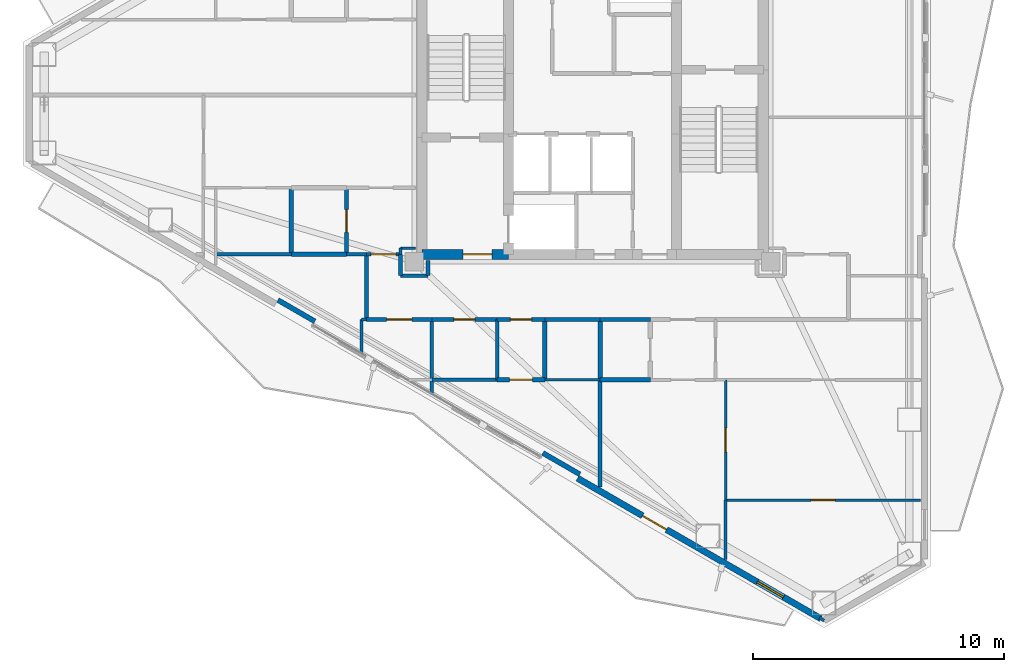
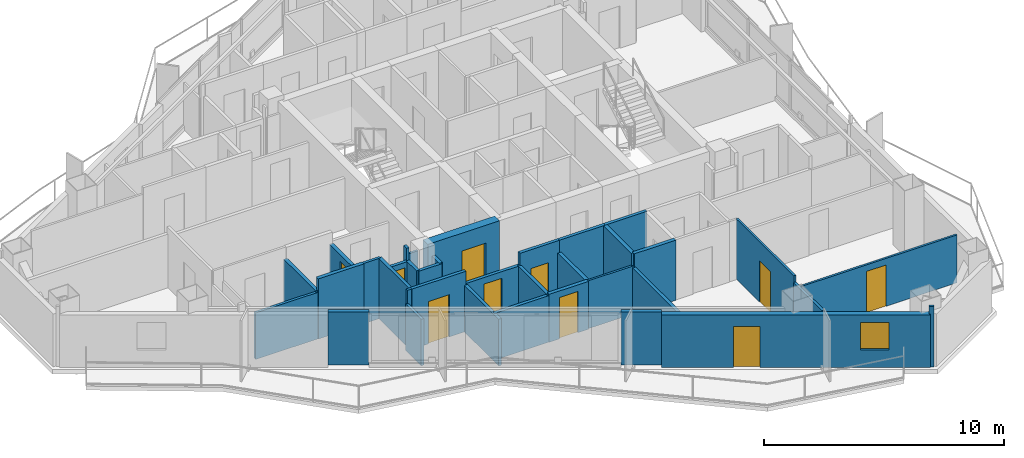
# One storey, part 12 of 19: 36 walls, 10 doors, 1 window, 11 openings.
"""IFC4 building model written with IfcOpenShell, lengths in metres."""

from ifc_helpers import new_model, si_unit, direction, frame, frame_2d, origin, place, context, subcontext, project, spatial, rectangle, extrude, material, layer, layer_set, type_object, element, fill, save


model = new_model("IFC4")

# Units and contexts
model_context = context("Model", 3, precision=1e-05, world=origin(), true_north=direction((0.0, 1.0)))
body_context = subcontext(model_context, "Body", "Model", "MODEL_VIEW")
ifc_project = project(units=[si_unit("LENGTHUNIT", "METRE"), si_unit("AREAUNIT", "SQUARE_METRE"), si_unit("VOLUMEUNIT", "CUBIC_METRE"), si_unit("PLANEANGLEUNIT", "RADIAN"), si_unit("MASSUNIT", "GRAM", prefix="KILO")], contexts=[model_context])

# Site, building, storey
site_placement = place(None, origin())
site = spatial("IfcSite", under=ifc_project, at=site_placement, CompositionType="ELEMENT")
building_placement = place(site_placement, origin())
building = spatial("IfcBuilding", under=site, at=building_placement, Name="Mersakhor Tower and Convention Hall", CompositionType="ELEMENT")
storey_placement = place(building_placement, frame((0.0, 0.0, 147.60009765625)))
storey = spatial("IfcBuildingStorey", under=building, at=storey_placement, Name="L41", CompositionType="ELEMENT", Elevation=147.60009765625)

# Wall, openings, door, window
ifc_material_1 = material(Name="Precast concrete C40/50", Category="concrete")
ifc_layer_1 = layer(ifc_material_1, 0.25)
ifc_layer_set_1 = layer_set([ifc_layer_1], Name="Precast concrete C40/50")
wall_type_1 = type_object("IfcWallType", Name="WL-EXT-250", PredefinedType="SOLIDWALL", material=ifc_layer_set_1)
wall_1_placement = place(storey_placement, frame((38.090576171875, 6.2373046875, 0.0), z_axis=(0.0, 0.0, 1.0), x_axis=(-0.86602239209, 0.500005216371, 0.0)))
wall_1 = element("IfcWall", 1, at=wall_1_placement, inside=storey, type_object=wall_type_1, Name="L41 Exterior Facade Wall F3-B1", PredefinedType="SOLIDWALL", context=body_context, shape_type="SweptSolid", body=[
    extrude(rectangle(XDim=11.18603515625, YDim=0.25, at=frame_2d((5.593017578125, 0.0))), origin(), (0.0, 0.0, 1.0), 2.679931640625),
])
opening_1_placement = place(wall_1_placement, frame((7.094970703125, 0.0, 0.0)))
opening_1 = element("IfcOpeningElement", 2, at=opening_1_placement, cuts=wall_1, Name="Opening BD-02", PredefinedType="OPENING", context=body_context, shape_type="SweptSolid", body=[
    extrude(rectangle(XDim=1.10009765625, YDim=2.10009765625, at=frame_2d((0.550048828125, 1.050048828125))), frame((0.0, 0.135009765625, 0.0), z_axis=(0.0, -1.0, 0.0), x_axis=(1.0, 0.0, 0.0)), (0.0, 0.0, 1.0), 0.27001953125),
])
opening_2_placement = place(wall_1_placement, frame((1.718017578125, 0.0, 0.89990234375)))
opening_2 = element("IfcOpeningElement", 3, at=opening_2_placement, cuts=wall_1, Name="Opening W-01", PredefinedType="OPENING", context=body_context, shape_type="SweptSolid", body=[
    extrude(rectangle(XDim=1.199951171875, YDim=1.39990234375, at=frame_2d((0.60009765625, 0.699951171875))), frame((0.0, 0.135009765625, 0.0), z_axis=(0.0, -1.0, 0.0), x_axis=(1.0, 0.0, 0.0)), (0.0, 0.0, 1.0), 0.27001953125),
])
ifc_material_2 = material(Name="Thermally broken dark aluminium and safety glass", Category="aluminium")
door_type_1 = type_object("IfcDoorType", Name="DR-BAL-110x210", OperationType="NOTDEFINED", PredefinedType="DOOR", material=ifc_material_2)
door_1_placement = place(opening_1_placement, origin())
door_1 = element("IfcDoor", 4, at=door_1_placement, inside=storey, type_object=door_type_1, Name="L41 Balcony Terrace Door F3-B1", OperationType="SINGLE_SWING_RIGHT", OverallHeight=2.10009765625, OverallWidth=1.10009765625, PredefinedType="DOOR", context=body_context, shape_type="SweptSolid", body=[
    extrude(rectangle(XDim=1.10009765625, YDim=2.10009765625, at=frame_2d((0.550048828125, 1.050048828125))), frame((0.0, 0.02490234375, 0.0), z_axis=(0.0, -1.0, 0.0), x_axis=(1.0, 0.0, 0.0)), (0.0, 0.0, 1.0), 0.050048828125),
])
fill(opening_1, door_1)
ifc_material_3 = material(Name="Dark solar low-E glazed aluminium window", Category="aluminium")
window_type = type_object("IfcWindowType", Name="WN-RES-120x150", PartitioningType="SINGLE_PANEL", PredefinedType="WINDOW", material=ifc_material_3)
window_placement = place(opening_2_placement, origin())
window = element("IfcWindow", 5, at=window_placement, inside=storey, type_object=window_type, Name="L41 Bedroom Facade Window F3-B1-1", OverallHeight=1.39990234375, OverallWidth=1.199951171875, PartitioningType="SINGLE_PANEL", PredefinedType="WINDOW", context=body_context, shape_type="SweptSolid", body=[
    extrude(rectangle(XDim=1.199951171875, YDim=1.39990234375, at=frame_2d((0.60009765625, 0.699951171875))), frame((0.0, 0.030029296875, 0.0), z_axis=(0.0, -1.0, 0.0), x_axis=(1.0, 0.0, 0.0)), (0.0, 0.0, 1.0), 0.06005859375),
])
fill(opening_2, window)

# Walls
ifc_material_4 = material(Name="Precast concrete C40/50", Category="concrete")
ifc_layer_2 = layer(ifc_material_4, 0.199951171875)
ifc_layer_set_2 = layer_set([ifc_layer_2], Name="Precast concrete C40/50")
wall_type_2 = type_object("IfcWallType", Name="WL-PAR-200", PredefinedType="PARAPET", material=ifc_layer_set_2)
for number, where, z_axis, x_axis, name in (
    (6, (28.4931640625, 11.986328125, 0.0), (0.0, 0.0, 1.0), (-0.86605165483, 0.499954529098, 0.0), "L41 Column Pier Cladding Wall F3-C1"),
    (7, (17.939697265625, 18.0791015625, 0.0), (0.0, 0.0, 1.0), (-0.865989465428, 0.500062241894, 0.0), "L41 Column Pier Cladding Wall F3-C2"),
):
    element("IfcWall", number, at=place(storey_placement, frame(where, z_axis=z_axis, x_axis=x_axis)), inside=storey, type_object=wall_type_2, Name=name, PredefinedType="PARAPET", context=body_context, shape_type="SweptSolid", body=[
        extrude(rectangle(XDim=1.699951171875, YDim=0.199951171875, at=frame_2d((0.85009765625, 0.0))), origin(), (0.0, 0.0, 1.0), 2.679931640625),
    ])

# Wall, opening, door
ifc_material_5 = material(Name="Moisture-resistant acoustic drywall studwork", Category="other")
ifc_layer_3 = layer(ifc_material_5, 0.175048828125)
ifc_layer_set_3 = layer_set([ifc_layer_3], Name="Moisture-resistant acoustic drywall studwork")
wall_type_3 = type_object("IfcWallType", Name="WL-PLM-175", PredefinedType="PLUMBINGWALL", material=ifc_layer_set_3)
wall_2_placement = place(storey_placement, frame((19.199951171875, 20.75, 0.0), z_axis=(0.0, 0.0, 1.0), x_axis=(0.0, 1.0, 0.0)))
wall_2 = element("IfcWall", 8, at=wall_2_placement, inside=storey, type_object=wall_type_3, Name="L41 Interior Partition Wall P-064", PredefinedType="PLUMBINGWALL", context=body_context, shape_type="SweptSolid", body=[
    extrude(rectangle(XDim=2.64990234375, YDim=0.175048828125, at=frame_2d((1.324951171875, 0.0))), origin(), (0.0, 0.0, 1.0), 2.4326171875),
])
opening_3_placement = place(wall_2_placement, frame((0.875, 0.0, 0.0)))
opening_3 = element("IfcOpeningElement", 9, at=opening_3_placement, cuts=wall_2, Name="Opening WD-01", PredefinedType="OPENING", context=body_context, shape_type="SweptSolid", body=[
    extrude(rectangle(XDim=0.89990234375, YDim=2.10009765625, at=frame_2d((0.449951171875, 1.050048828125))), frame((0.0, 0.097412109375, 0.0), z_axis=(0.0, -1.0, 0.0), x_axis=(1.0, 0.0, 0.0)), (0.0, 0.0, 1.0), 0.195068359375),
])
ifc_material_6 = material(Name="Solid-core hardwood leaf in painted steel frame", Category="steel")
door_type_2 = type_object("IfcDoorType", Name="DR-INT-WET-090x210", OperationType="NOTDEFINED", PredefinedType="DOOR", material=ifc_material_6)
door_2_placement = place(opening_3_placement, origin())
door_2 = element("IfcDoor", 10, at=door_2_placement, inside=storey, type_object=door_type_2, Name="L41 L41 Flat W6 Apartment Hall to L41 Flat W6 Bathroom Door", OperationType="SINGLE_SWING_LEFT", OverallHeight=2.10009765625, OverallWidth=0.89990234375, PredefinedType="DOOR", context=body_context, shape_type="SweptSolid", body=[
    extrude(rectangle(XDim=0.89990234375, YDim=2.10009765625, at=frame_2d((0.449951171875, 1.050048828125))), frame((0.0, 0.02490234375, 0.0), z_axis=(0.0, -1.0, 0.0), x_axis=(1.0, 0.0, 0.0)), (0.0, 0.0, 1.0), 0.050048828125),
])
fill(opening_3, door_2)

wall_3_placement = place(storey_placement, frame((27.10009765625, 15.75, 0.0), z_axis=(0.0, 0.0, 1.0), x_axis=(-1.0, 0.0, 0.0)))
wall_3 = element("IfcWall", 11, at=wall_3_placement, inside=storey, type_object=wall_type_3, Name="L41 Interior Partition Wall P-077", PredefinedType="PLUMBINGWALL", context=body_context, shape_type="SweptSolid", body=[
    extrude(rectangle(XDim=1.900146484375, YDim=0.175048828125, at=frame_2d((0.9501953125, 0.0))), origin(), (0.0, 0.0, 1.0), 2.4326171875),
])
opening_4_placement = place(wall_3_placement, frame((0.5, 0.0, 0.0)))
opening_4 = element("IfcOpeningElement", 12, at=opening_4_placement, cuts=wall_3, Name="Opening WD-01", PredefinedType="OPENING", context=body_context, shape_type="SweptSolid", body=[
    extrude(rectangle(XDim=0.89990234375, YDim=2.10009765625, at=frame_2d((0.449951171875, 1.050048828125))), frame((0.0, 0.097412109375, 0.0), z_axis=(0.0, -1.0, 0.0), x_axis=(1.0, 0.0, 0.0)), (0.0, 0.0, 1.0), 0.195068359375),
])
door_3_placement = place(opening_4_placement, origin())
door_3 = element("IfcDoor", 13, at=door_3_placement, inside=storey, type_object=door_type_2, Name="L41 L41 Floor Shared Restroom WC 3-2 to L41 Floor Residents Study Room 3-4 Door", OperationType="SINGLE_SWING_RIGHT", OverallHeight=2.10009765625, OverallWidth=0.89990234375, PredefinedType="DOOR", context=body_context, shape_type="SweptSolid", body=[
    extrude(rectangle(XDim=0.89990234375, YDim=2.10009765625, at=frame_2d((0.449951171875, 1.050048828125))), frame((0.0, 0.02490234375, 0.0), z_axis=(0.0, -1.0, 0.0), x_axis=(1.0, 0.0, 0.0)), (0.0, 0.0, 1.0), 0.050048828125),
])
fill(opening_4, door_3)

# Walls
wall_4_placement = place(storey_placement, frame((27.10009765625, 18.14990234375, 0.0), z_axis=(0.0, 0.0, 1.0), x_axis=(0.0, -1.0, 0.0)))
element("IfcWall", 14, at=wall_4_placement, inside=storey, type_object=wall_type_3, Name="L41 Interior Partition Wall P-079", PredefinedType="PLUMBINGWALL", context=body_context, shape_type="SweptSolid", body=[
    extrude(rectangle(XDim=2.39990234375, YDim=0.175048828125, at=frame_2d((1.199951171875, 0.0))), origin(), (0.0, 0.0, 1.0), 2.4326171875),
])
wall_5_placement = place(storey_placement, frame((31.300048828125, 15.75, 0.0), z_axis=(0.0, 0.0, 1.0), x_axis=(-1.0, 0.0, 0.0)))
element("IfcWall", 15, at=wall_5_placement, inside=storey, type_object=wall_type_3, Name="L41 Interior Partition Wall P-080", PredefinedType="PLUMBINGWALL", context=body_context, shape_type="SweptSolid", body=[
    extrude(rectangle(XDim=2.0, YDim=0.175048828125, at=frame_2d((1.0, 0.0))), origin(), (0.0, 0.0, 1.0), 3.059814453125),
])
wall_6_placement = place(storey_placement, frame((29.300048828125, 15.75, 0.0), z_axis=(0.0, 0.0, 1.0), x_axis=(0.0, 1.0, 0.0)))
element("IfcWall", 16, at=wall_6_placement, inside=storey, type_object=wall_type_3, Name="L41 Interior Partition Wall P-081", PredefinedType="PLUMBINGWALL", context=body_context, shape_type="SweptSolid", body=[
    extrude(rectangle(XDim=2.39990234375, YDim=0.175048828125, at=frame_2d((1.199951171875, 0.0))), origin(), (0.0, 0.0, 1.0), 3.059814453125),
])
wall_7_placement = place(storey_placement, frame((19.199951171875, 20.75, 0.0), z_axis=(0.0, 0.0, 1.0), x_axis=(-1.0, 0.0, 0.0)))
element("IfcWall", 17, at=wall_7_placement, inside=storey, type_object=wall_type_3, Name="L41 Interior Partition Wall P-092", PredefinedType="PLUMBINGWALL", context=body_context, shape_type="SweptSolid", body=[
    extrude(rectangle(XDim=2.199951171875, YDim=0.175048828125, at=frame_2d((1.10009765625, 0.0))), origin(), (0.0, 0.0, 1.0), 3.059814453125),
])
wall_8_placement = place(storey_placement, frame((17.0, 20.75, 0.0), z_axis=(0.0, 0.0, 1.0), x_axis=(0.0, 1.0, 0.0)))
element("IfcWall", 18, at=wall_8_placement, inside=storey, type_object=wall_type_3, Name="L41 Interior Partition Wall P-093", PredefinedType="PLUMBINGWALL", context=body_context, shape_type="SweptSolid", body=[
    extrude(rectangle(XDim=2.64990234375, YDim=0.175048828125, at=frame_2d((1.324951171875, 0.0))), origin(), (0.0, 0.0, 1.0), 2.4326171875),
])
ifc_material_7 = material(Name="Lightweight gypsum partition", Category="other")
ifc_layer_4 = layer(ifc_material_7, 0.10009765625)
ifc_layer_set_4 = layer_set([ifc_layer_4], Name="Lightweight gypsum partition")
wall_type_4 = type_object("IfcWallType", Name="WL-PRT-100", PredefinedType="PARTITIONING", material=ifc_layer_set_4)
wall_9_placement = place(storey_placement, frame((21.949951171875, 21.0, 0.0), z_axis=(0.0, 0.0, 1.0), x_axis=(-1.0, 0.0, 0.0)))
element("IfcWall", 19, at=wall_9_placement, inside=storey, type_object=wall_type_4, Name="L41 Interior Partition Wall P-066", PredefinedType="PARTITIONING", context=body_context, shape_type="SweptSolid", body=[
    extrude(rectangle(XDim=0.599853515625, YDim=0.10009765625, at=frame_2d((0.2998046875, 0.0))), origin(), (0.0, 0.0, 1.0), 2.5849609375),
])
wall_10_placement = place(storey_placement, frame((27.10009765625, 15.75, 0.0), z_axis=(0.0, 0.0, 1.0), x_axis=(1.0, 0.0, 0.0)))
element("IfcWall", 20, at=wall_10_placement, inside=storey, type_object=wall_type_4, Name="L41 Interior Partition Wall P-124", PredefinedType="PARTITIONING", context=body_context, shape_type="SweptSolid", body=[
    extrude(rectangle(XDim=2.199951171875, YDim=0.10009765625, at=frame_2d((1.10009765625, 0.0))), origin(), (0.0, 0.0, 1.0), 2.4326171875),
])

# Wall, opening, door
wall_11_placement = place(storey_placement, frame((34.300048828125, 15.75, 0.0), z_axis=(0.0, 0.0, 1.0), x_axis=(0.0, -1.0, 0.0)))
wall_11 = element("IfcWall", 21, at=wall_11_placement, inside=storey, type_object=wall_type_4, Name="L41 Interior Partition Wall P-126", PredefinedType="PARTITIONING", context=body_context, shape_type="SweptSolid", body=[
    extrude(rectangle(XDim=4.7900390625, YDim=0.10009765625, at=frame_2d((2.39501953125, 0.0))), origin(), (0.0, 0.0, 1.0), 3.059814453125),
])
opening_5_placement = place(wall_11_placement, frame((1.919921875, 0.0, 0.0)))
opening_5 = element("IfcOpeningElement", 22, at=opening_5_placement, cuts=wall_11, Name="Opening RD-01", PredefinedType="OPENING", context=body_context, shape_type="SweptSolid", body=[
    extrude(rectangle(XDim=0.949951171875, YDim=2.10009765625, at=frame_2d((0.47509765625, 1.050048828125))), frame((0.0, 0.06005859375, 0.0), z_axis=(0.0, -1.0, 0.0), x_axis=(1.0, 0.0, 0.0)), (0.0, 0.0, 1.0), 0.1201171875),
])
ifc_material_8 = material(Name="Solid-core hardwood leaf in painted steel frame", Category="steel")
door_type_3 = type_object("IfcDoorType", Name="DR-INT-RM-095x210", OperationType="NOTDEFINED", PredefinedType="DOOR", material=ifc_material_8)
door_4_placement = place(opening_5_placement, origin())
door_4 = element("IfcDoor", 23, at=door_4_placement, inside=storey, type_object=door_type_3, Name="L41 L41 Flat S4 Living and Dining Room to L41 Flat S4 Dining Room Door", OperationType="SINGLE_SWING_LEFT", OverallHeight=2.10009765625, OverallWidth=0.949951171875, PredefinedType="DOOR", context=body_context, shape_type="SweptSolid", body=[
    extrude(rectangle(XDim=0.949951171875, YDim=2.10009765625, at=frame_2d((0.47509765625, 1.050048828125))), frame((0.0, 0.02490234375, 0.0), z_axis=(0.0, -1.0, 0.0), x_axis=(1.0, 0.0, 0.0)), (0.0, 0.0, 1.0), 0.050048828125),
])
fill(opening_5, door_4)

wall_12_placement = place(storey_placement, frame((34.300048828125, 10.9599609375, 0.0), z_axis=(0.0, 0.0, 1.0), x_axis=(1.0, 0.0, 0.0)))
wall_12 = element("IfcWall", 24, at=wall_12_placement, inside=storey, type_object=wall_type_4, Name="L41 Interior Partition Wall P-128", PredefinedType="PARTITIONING", context=body_context, shape_type="SweptSolid", body=[
    extrude(rectangle(XDim=7.770263671875, YDim=0.10009765625, at=frame_2d((3.88525390625, 0.0))), origin(), (0.0, 0.0, 1.0), 2.4326171875),
])
opening_6_placement = place(wall_12_placement, frame((3.41015625, 0.0, 0.0)))
opening_6 = element("IfcOpeningElement", 25, at=opening_6_placement, cuts=wall_12, Name="Opening RD-01", PredefinedType="OPENING", context=body_context, shape_type="SweptSolid", body=[
    extrude(rectangle(XDim=0.949951171875, YDim=2.10009765625, at=frame_2d((0.47509765625, 1.050048828125))), frame((0.0, 0.06005859375, 0.0), z_axis=(0.0, -1.0, 0.0), x_axis=(1.0, 0.0, 0.0)), (0.0, 0.0, 1.0), 0.1201171875),
])
door_5_placement = place(opening_6_placement, origin())
door_5 = element("IfcDoor", 26, at=door_5_placement, inside=storey, type_object=door_type_3, Name="L41 L41 Flat S4 Bedroom 1 to L41 Flat S4 Dining Room Door", OperationType="SINGLE_SWING_RIGHT", OverallHeight=2.10009765625, OverallWidth=0.949951171875, PredefinedType="DOOR", context=body_context, shape_type="SweptSolid", body=[
    extrude(rectangle(XDim=0.949951171875, YDim=2.10009765625, at=frame_2d((0.47509765625, 1.050048828125))), frame((0.0, 0.02490234375, 0.0), z_axis=(0.0, -1.0, 0.0), x_axis=(1.0, 0.0, 0.0)), (0.0, 0.0, 1.0), 0.050048828125),
])
fill(opening_6, door_5)

# Walls
ifc_material_9 = material(Name="Gypsum board acoustic partition", Category="other")
ifc_layer_5 = layer(ifc_material_9, 0.125)
ifc_layer_set_5 = layer_set([ifc_layer_5], Name="Gypsum board acoustic partition")
wall_type_5 = type_object("IfcWallType", Name="WL-PRT-125", PredefinedType="PARTITIONING", material=ifc_layer_set_5)
wall_13_placement = place(storey_placement, frame((20.0, 20.75, 0.0), z_axis=(0.0, 0.0, 1.0), x_axis=(-1.0, 0.0, 0.0)))
element("IfcWall", 27, at=wall_13_placement, inside=storey, type_object=wall_type_5, Name="L41 Interior Partition Wall P-063", PredefinedType="PARTITIONING", context=body_context, shape_type="SweptSolid", body=[
    extrude(rectangle(XDim=0.800048828125, YDim=0.125, at=frame_2d((0.39990234375, 0.0))), origin(), (0.0, 0.0, 1.0), 3.059814453125),
])
wall_14_placement = place(storey_placement, frame((21.35009765625, 21.0, 0.0), z_axis=(0.0, 0.0, 1.0), x_axis=(0.0, -1.0, 0.0)))
element("IfcWall", 28, at=wall_14_placement, inside=storey, type_object=wall_type_5, Name="L41 Interior Partition Wall P-067", PredefinedType="PARTITIONING", context=body_context, shape_type="SweptSolid", body=[
    extrude(rectangle(XDim=0.25, YDim=0.125, at=frame_2d((0.125, 0.0))), origin(), (0.0, 0.0, 1.0), 3.059814453125),
])
wall_15_placement = place(storey_placement, frame((17.0, 20.75, 0.0), z_axis=(0.0, 0.0, 1.0), x_axis=(-1.0, 0.0, 0.0)))
element("IfcWall", 29, at=wall_15_placement, inside=storey, type_object=wall_type_5, Name="L41 Interior Partition Wall P-095", PredefinedType="PARTITIONING", context=body_context, shape_type="SweptSolid", body=[
    extrude(rectangle(XDim=3.0, YDim=0.125, at=frame_2d((1.5, 0.0))), origin(), (0.0, 0.0, 1.0), 2.364990234375),
])
wall_16_placement = place(storey_placement, frame((19.800048828125, 18.14990234375, 0.0), z_axis=(0.0, 0.0, 1.0), x_axis=(1.0, 0.0, 0.0)))
element("IfcWall", 30, at=wall_16_placement, inside=storey, type_object=wall_type_5, Name="L41 Interior Partition Wall P-121", PredefinedType="PARTITIONING", context=body_context, shape_type="SweptSolid", body=[
    extrude(rectangle(XDim=0.199951171875, YDim=0.125, at=frame_2d((0.10009765625, 0.0))), origin(), (0.0, 0.0, 1.0), 3.059814453125),
])
wall_17_placement = place(storey_placement, frame((19.800048828125, 16.84130859375, 0.0), z_axis=(0.0, 0.0, 1.0), x_axis=(0.0, 1.0, 0.0)))
element("IfcWall", 31, at=wall_17_placement, inside=storey, type_object=wall_type_5, Name="L41 Interior Partition Wall P-123", PredefinedType="PARTITIONING", context=body_context, shape_type="SweptSolid", body=[
    extrude(rectangle(XDim=1.30859375, YDim=0.125, at=frame_2d((0.654296875, 0.0))), origin(), (0.0, 0.0, 1.0), 2.364990234375),
])
wall_18_placement = place(storey_placement, frame((34.300048828125, 10.9599609375, 0.0), z_axis=(0.0, 0.0, 1.0), x_axis=(0.0, -1.0, 0.0)))
element("IfcWall", 32, at=wall_18_placement, inside=storey, type_object=wall_type_5, Name="L41 Interior Partition Wall P-127", PredefinedType="PARTITIONING", context=body_context, shape_type="SweptSolid", body=[
    extrude(rectangle(XDim=2.362060546875, YDim=0.125, at=frame_2d((1.18115234375, 0.0))), origin(), (0.0, 0.0, 1.0), 2.724365234375),
])
wall_19_placement = place(storey_placement, frame((38.220703125, 6.162109375, 0.0), z_axis=(0.0, 0.0, 1.0), x_axis=(-0.865581379588, 0.500768285049, 0.0)))
element("IfcWall", 33, at=wall_19_placement, inside=storey, type_object=wall_type_5, Name="L41 Interior Partition Wall P-129", PredefinedType="PARTITIONING", context=body_context, shape_type="SweptSolid", body=[
    extrude(rectangle(XDim=0.215576171875, YDim=0.125, at=frame_2d((0.10791015625, 0.0))), origin(), (0.0, 0.0, 1.0), 3.059814453125),
])
ifc_material_10 = material(Name="Fire-rated gypsum board stud partition", Category="other")
ifc_layer_6 = layer(ifc_material_10, 0.14990234375)
ifc_layer_set_6 = layer_set([ifc_layer_6], Name="Fire-rated gypsum board stud partition")
wall_type_6 = type_object("IfcWallType", Name="WL-PRT-150", PredefinedType="PARTITIONING", material=ifc_layer_set_6)
wall_20_placement = place(storey_placement, frame((22.449951171875, 19.89990234375, 0.0), z_axis=(0.0, 0.0, 1.0), x_axis=(0.0, 1.0, 0.0)))
element("IfcWall", 34, at=wall_20_placement, inside=storey, type_object=wall_type_6, Name="L41 Interior Partition Wall P-034", PredefinedType="PARTITIONING", context=body_context, shape_type="SweptSolid", body=[
    extrude(rectangle(XDim=0.60009765625, YDim=0.14990234375, at=frame_2d((0.300048828125, 0.0))), origin(), (0.0, 0.0, 1.0), 2.4326171875),
])
wall_21_placement = place(storey_placement, frame((31.300048828125, 18.14990234375, 0.0), z_axis=(0.0, 0.0, 1.0), x_axis=(-1.0, 0.0, 0.0)))
element("IfcWall", 35, at=wall_21_placement, inside=storey, type_object=wall_type_6, Name="L41 Interior Partition Wall P-043", PredefinedType="PARTITIONING", context=body_context, shape_type="SweptSolid", body=[
    extrude(rectangle(XDim=2.0, YDim=0.14990234375, at=frame_2d((1.0, 0.0))), origin(), (0.0, 0.0, 1.0), 3.059814453125),
])
wall_22_placement = place(storey_placement, frame((29.300048828125, 18.14990234375, 0.0), z_axis=(0.0, 0.0, 1.0), x_axis=(-1.0, 0.0, 0.0)))
element("IfcWall", 36, at=wall_22_placement, inside=storey, type_object=wall_type_6, Name="L41 Interior Partition Wall P-044", PredefinedType="PARTITIONING", context=body_context, shape_type="SweptSolid", body=[
    extrude(rectangle(XDim=2.199951171875, YDim=0.14990234375, at=frame_2d((1.10009765625, 0.0))), origin(), (0.0, 0.0, 1.0), 3.059814453125),
])

# Wall, opening, door
wall_23_placement = place(storey_placement, frame((27.10009765625, 18.14990234375, 0.0), z_axis=(0.0, 0.0, 1.0), x_axis=(-1.0, 0.0, 0.0)))
wall_23 = element("IfcWall", 37, at=wall_23_placement, inside=storey, type_object=wall_type_6, Name="L41 Interior Partition Wall P-045", PredefinedType="PARTITIONING", context=body_context, shape_type="SweptSolid", body=[
    extrude(rectangle(XDim=1.900146484375, YDim=0.14990234375, at=frame_2d((0.9501953125, 0.0))), origin(), (0.0, 0.0, 1.0), 3.059814453125),
])
opening_7_placement = place(wall_23_placement, frame((0.52490234375, 0.0, 0.0)))
opening_7 = element("IfcOpeningElement", 38, at=opening_7_placement, cuts=wall_23, Name="Opening SVD-01", PredefinedType="OPENING", context=body_context, shape_type="SweptSolid", body=[
    extrude(rectangle(XDim=0.85009765625, YDim=2.10009765625, at=frame_2d((0.425048828125, 1.050048828125))), frame((0.0, 0.0849609375, 0.0), z_axis=(0.0, -1.0, 0.0), x_axis=(1.0, 0.0, 0.0)), (0.0, 0.0, 1.0), 0.169921875),
])
ifc_material_11 = material(Name="Fire-rated hardwood leaf and painted steel frame", Category="steel")
door_type_4 = type_object("IfcDoorType", Name="DR-INT-SVC-085x210", OperationType="NOTDEFINED", PredefinedType="DOOR", material=ifc_material_11)
door_6_placement = place(opening_7_placement, origin())
door_6 = element("IfcDoor", 39, at=door_6_placement, inside=storey, type_object=door_type_4, Name="L41 Residential South Gallery Corridor to L41 Floor Shared Restroom WC 3-2 Door", OperationType="SINGLE_SWING_RIGHT", OverallHeight=2.10009765625, OverallWidth=0.85009765625, PredefinedType="DOOR", context=body_context, shape_type="SweptSolid", body=[
    extrude(rectangle(XDim=0.85009765625, YDim=2.10009765625, at=frame_2d((0.425048828125, 1.050048828125))), frame((0.0, 0.02490234375, 0.0), z_axis=(0.0, -1.0, 0.0), x_axis=(1.0, 0.0, 0.0)), (0.0, 0.0, 1.0), 0.050048828125),
])
fill(opening_7, door_6)

wall_24_placement = place(storey_placement, frame((25.199951171875, 18.14990234375, 0.0), z_axis=(0.0, 0.0, 1.0), x_axis=(-1.0, 0.0, 0.0)))
wall_24 = element("IfcWall", 40, at=wall_24_placement, inside=storey, type_object=wall_type_6, Name="L41 Interior Partition Wall P-046", PredefinedType="PARTITIONING", context=body_context, shape_type="SweptSolid", body=[
    extrude(rectangle(XDim=2.599853515625, YDim=0.14990234375, at=frame_2d((1.2998046875, 0.0))), origin(), (0.0, 0.0, 1.0), 2.4326171875),
])
opening_8_placement = place(wall_24_placement, frame((0.875, 0.0, 0.0)))
opening_8 = element("IfcOpeningElement", 41, at=opening_8_placement, cuts=wall_24, Name="Opening SVD-01", PredefinedType="OPENING", context=body_context, shape_type="SweptSolid", body=[
    extrude(rectangle(XDim=0.85009765625, YDim=2.10009765625, at=frame_2d((0.425048828125, 1.050048828125))), frame((0.0, 0.0849609375, 0.0), z_axis=(0.0, -1.0, 0.0), x_axis=(1.0, 0.0, 0.0)), (0.0, 0.0, 1.0), 0.169921875),
])
door_7_placement = place(opening_8_placement, origin())
door_7 = element("IfcDoor", 42, at=door_7_placement, inside=storey, type_object=door_type_4, Name="L41 Residential South Gallery Corridor to L41 Floor Household Store Room 3-1 Door", OperationType="SINGLE_SWING_LEFT", OverallHeight=2.10009765625, OverallWidth=0.85009765625, PredefinedType="DOOR", context=body_context, shape_type="SweptSolid", body=[
    extrude(rectangle(XDim=0.85009765625, YDim=2.10009765625, at=frame_2d((0.425048828125, 1.050048828125))), frame((0.0, 0.02490234375, 0.0), z_axis=(0.0, -1.0, 0.0), x_axis=(1.0, 0.0, 0.0)), (0.0, 0.0, 1.0), 0.050048828125),
])
fill(opening_8, door_7)

wall_25_placement = place(storey_placement, frame((22.60009765625, 18.14990234375, 0.0), z_axis=(0.0, 0.0, 1.0), x_axis=(-1.0, 0.0, 0.0)))
wall_25 = element("IfcWall", 43, at=wall_25_placement, inside=storey, type_object=wall_type_6, Name="L41 Interior Partition Wall P-047", PredefinedType="PARTITIONING", context=body_context, shape_type="SweptSolid", body=[
    extrude(rectangle(XDim=2.60009765625, YDim=0.14990234375, at=frame_2d((1.300048828125, 0.0))), origin(), (0.0, 0.0, 1.0), 3.059814453125),
])
opening_9_placement = place(wall_25_placement, frame((0.800048828125, 0.0, 0.0)))
opening_9 = element("IfcOpeningElement", 44, at=opening_9_placement, cuts=wall_25, Name="Opening FD-01", PredefinedType="OPENING", context=body_context, shape_type="SweptSolid", body=[
    extrude(rectangle(XDim=1.0, YDim=2.14990234375, at=frame_2d((0.5, 1.074951171875))), frame((0.0, 0.0849609375, 0.0), z_axis=(0.0, -1.0, 0.0), x_axis=(1.0, 0.0, 0.0)), (0.0, 0.0, 1.0), 0.169921875),
])
ifc_material_12 = material(Name="Fire-rated hardwood leaf and painted steel frame", Category="steel")
door_type_5 = type_object("IfcDoorType", Name="DR-INT-FLT-100x215", OperationType="NOTDEFINED", PredefinedType="DOOR", material=ifc_material_12)
door_8_placement = place(opening_9_placement, origin())
door_8 = element("IfcDoor", 45, at=door_8_placement, inside=storey, type_object=door_type_5, Name="L41 Residential South Gallery Corridor to L41 Floor Shared Tea Pantry 3-3 Door", OperationType="SINGLE_SWING_RIGHT", OverallHeight=2.14990234375, OverallWidth=1.0, PredefinedType="DOOR", context=body_context, shape_type="SweptSolid", body=[
    extrude(rectangle(XDim=1.0, YDim=2.14990234375, at=frame_2d((0.5, 1.074951171875))), frame((0.0, 0.02490234375, 0.0), z_axis=(0.0, -1.0, 0.0), x_axis=(1.0, 0.0, 0.0)), (0.0, 0.0, 1.0), 0.050048828125),
])
fill(opening_9, door_8)

# Wall
wall_26_placement = place(storey_placement, frame((20.0, 18.14990234375, 0.0), z_axis=(0.0, 0.0, 1.0), x_axis=(0.0, 1.0, 0.0)))
element("IfcWall", 46, at=wall_26_placement, inside=storey, type_object=wall_type_6, Name="L41 Interior Partition Wall P-048", PredefinedType="PARTITIONING", context=body_context, shape_type="SweptSolid", body=[
    extrude(rectangle(XDim=2.60009765625, YDim=0.14990234375, at=frame_2d((1.300048828125, 0.0))), origin(), (0.0, 0.0, 1.0), 3.059814453125),
])

# Wall, opening, door
wall_27_placement = place(storey_placement, frame((20.0, 20.75, 0.0), z_axis=(0.0, 0.0, 1.0), x_axis=(1.0, 0.0, 0.0)))
wall_27 = element("IfcWall", 47, at=wall_27_placement, inside=storey, type_object=wall_type_6, Name="L41 Interior Partition Wall P-049", PredefinedType="PARTITIONING", context=body_context, shape_type="SweptSolid", body=[
    extrude(rectangle(XDim=1.35009765625, YDim=0.14990234375, at=frame_2d((0.675048828125, 0.0))), origin(), (0.0, 0.0, 1.0), 2.4326171875),
])
opening_10_placement = place(wall_27_placement, frame((0.175048828125, 0.0, 0.0)))
opening_10 = element("IfcOpeningElement", 48, at=opening_10_placement, cuts=wall_27, Name="Opening FD-01", PredefinedType="OPENING", context=body_context, shape_type="SweptSolid", body=[
    extrude(rectangle(XDim=1.0, YDim=2.14990234375, at=frame_2d((0.5, 1.074951171875))), frame((0.0, 0.0849609375, 0.0), z_axis=(0.0, -1.0, 0.0), x_axis=(1.0, 0.0, 0.0)), (0.0, 0.0, 1.0), 0.169921875),
])
door_9_placement = place(opening_10_placement, origin())
door_9 = element("IfcDoor", 49, at=door_9_placement, inside=storey, type_object=door_type_5, Name="L41 Apartment Entrance Door (Residential South Gallery Corridor to L41 Flat W6 Apartment Hall)", OperationType="SINGLE_SWING_LEFT", OverallHeight=2.14990234375, OverallWidth=1.0, PredefinedType="DOOR", context=body_context, shape_type="SweptSolid", body=[
    extrude(rectangle(XDim=1.0, YDim=2.14990234375, at=frame_2d((0.5, 1.074951171875))), frame((0.0, 0.02490234375, 0.0), z_axis=(0.0, -1.0, 0.0), x_axis=(1.0, 0.0, 0.0)), (0.0, 0.0, 1.0), 0.050048828125),
])
fill(opening_10, door_9)

# Walls
wall_28_placement = place(storey_placement, frame((21.35009765625, 20.75, 0.0), z_axis=(0.0, 0.0, 1.0), x_axis=(0.0, -1.0, 0.0)))
element("IfcWall", 50, at=wall_28_placement, inside=storey, type_object=wall_type_6, Name="L41 Interior Partition Wall P-050", PredefinedType="PARTITIONING", context=body_context, shape_type="SweptSolid", body=[
    extrude(rectangle(XDim=0.85009765625, YDim=0.14990234375, at=frame_2d((0.425048828125, 0.0))), origin(), (0.0, 0.0, 1.0), 2.4326171875),
])
wall_29_placement = place(storey_placement, frame((21.35009765625, 19.89990234375, 0.0), z_axis=(0.0, 0.0, 1.0), x_axis=(1.0, 0.0, 0.0)))
element("IfcWall", 51, at=wall_29_placement, inside=storey, type_object=wall_type_6, Name="L41 Interior Partition Wall P-051", PredefinedType="PARTITIONING", context=body_context, shape_type="SweptSolid", body=[
    extrude(rectangle(XDim=1.099853515625, YDim=0.14990234375, at=frame_2d((0.5498046875, 0.0))), origin(), (0.0, 0.0, 1.0), 2.4326171875),
])
wall_30_placement = place(storey_placement, frame((25.199951171875, 15.75, 0.0), z_axis=(0.0, 0.0, 1.0), x_axis=(0.0, 1.0, 0.0)))
element("IfcWall", 52, at=wall_30_placement, inside=storey, type_object=wall_type_6, Name="L41 Interior Partition Wall P-078", PredefinedType="PARTITIONING", context=body_context, shape_type="SweptSolid", body=[
    extrude(rectangle(XDim=2.39990234375, YDim=0.14990234375, at=frame_2d((1.199951171875, 0.0))), origin(), (0.0, 0.0, 1.0), 2.4326171875),
])
wall_31_placement = place(storey_placement, frame((25.199951171875, 15.75, 0.0), z_axis=(0.0, 0.0, 1.0), x_axis=(-1.0, 0.0, 0.0)))
element("IfcWall", 53, at=wall_31_placement, inside=storey, type_object=wall_type_6, Name="L41 Interior Partition Wall P-119", PredefinedType="PARTITIONING", context=body_context, shape_type="SweptSolid", body=[
    extrude(rectangle(XDim=2.599853515625, YDim=0.14990234375, at=frame_2d((1.2998046875, 0.0))), origin(), (0.0, 0.0, 1.0), 2.364990234375),
])
wall_32_placement = place(storey_placement, frame((22.60009765625, 15.224609375, 0.0), z_axis=(0.0, 0.0, 1.0), x_axis=(0.0, 1.0, 0.0)))
element("IfcWall", 54, at=wall_32_placement, inside=storey, type_object=wall_type_6, Name="L41 Interior Partition Wall P-120", PredefinedType="PARTITIONING", context=body_context, shape_type="SweptSolid", body=[
    extrude(rectangle(XDim=2.92529296875, YDim=0.14990234375, at=frame_2d((1.462646484375, 0.0))), origin(), (0.0, 0.0, 1.0), 2.364990234375),
])
wall_33_placement = place(storey_placement, frame((29.300048828125, 15.75, 0.0), z_axis=(0.0, 0.0, 1.0), x_axis=(0.0, -1.0, 0.0)))
element("IfcWall", 55, at=wall_33_placement, inside=storey, type_object=wall_type_6, Name="L41 Interior Partition Wall P-125", PredefinedType="PARTITIONING", context=body_context, shape_type="SweptSolid", body=[
    extrude(rectangle(XDim=4.265380859375, YDim=0.14990234375, at=frame_2d((2.1328125, 0.0))), origin(), (0.0, 0.0, 1.0), 2.364990234375),
])

# Wall, opening, door
ifc_material_13 = material(Name="Concrete C60/75", Category="concrete")
ifc_layer_7 = layer(ifc_material_13, 0.39990234375)
ifc_layer_set_7 = layer_set([ifc_layer_7], Name="Concrete C60/75")
wall_type_7 = type_object("IfcWallType", Name="WL-SHR-400", PredefinedType="SHEAR", material=ifc_layer_set_7)
wall_34_placement = place(storey_placement, frame((25.64990234375, 20.75, 0.0), z_axis=(0.0, 0.0, 1.0), x_axis=(-1.0, 0.0, 0.0)))
wall_34 = element("IfcWall", 56, at=wall_34_placement, inside=storey, type_object=wall_type_7, Name="L41 Core Wall CW-S4", PredefinedType="SHEAR", context=body_context, shape_type="SweptSolid", body=[
    extrude(rectangle(XDim=3.449951171875, YDim=0.39990234375, at=frame_2d((1.72509765625, 0.0))), origin(), (0.0, 0.0, 1.0), 3.059814453125),
])
opening_11_placement = place(wall_34_placement, frame((0.64990234375, 0.0, 0.0)))
opening_11 = element("IfcOpeningElement", 57, at=opening_11_placement, cuts=wall_34, Name="Opening SD-01", PredefinedType="OPENING", context=body_context, shape_type="SweptSolid", body=[
    extrude(rectangle(XDim=1.14990234375, YDim=2.14990234375, at=frame_2d((0.574951171875, 1.074951171875))), frame((0.0, 0.2099609375, 0.0), z_axis=(0.0, -1.0, 0.0), x_axis=(1.0, 0.0, 0.0)), (0.0, 0.0, 1.0), 0.419921875),
])
ifc_material_14 = material(Name="Fire-rated hardwood leaf and painted steel frame", Category="steel")
door_type_6 = type_object("IfcDoorType", Name="DR-INT-STAIR-115x215", OperationType="NOTDEFINED", PredefinedType="DOOR", material=ifc_material_14)
door_10_placement = place(opening_11_placement, origin())
door_10 = element("IfcDoor", 58, at=door_10_placement, inside=storey, type_object=door_type_6, Name="L41 Firefighting Lobby West Fire Door", OperationType="SINGLE_SWING_LEFT", OverallHeight=2.14990234375, OverallWidth=1.14990234375, PredefinedType="DOOR", context=body_context, shape_type="SweptSolid", body=[
    extrude(rectangle(XDim=1.14990234375, YDim=2.14990234375, at=frame_2d((0.574951171875, 1.074951171875))), frame((0.0, 0.02490234375, 0.0), z_axis=(0.0, -1.0, 0.0), x_axis=(1.0, 0.0, 0.0)), (0.0, 0.0, 1.0), 0.050048828125),
])
fill(opening_11, door_10)

save(model, "model.ifc")
